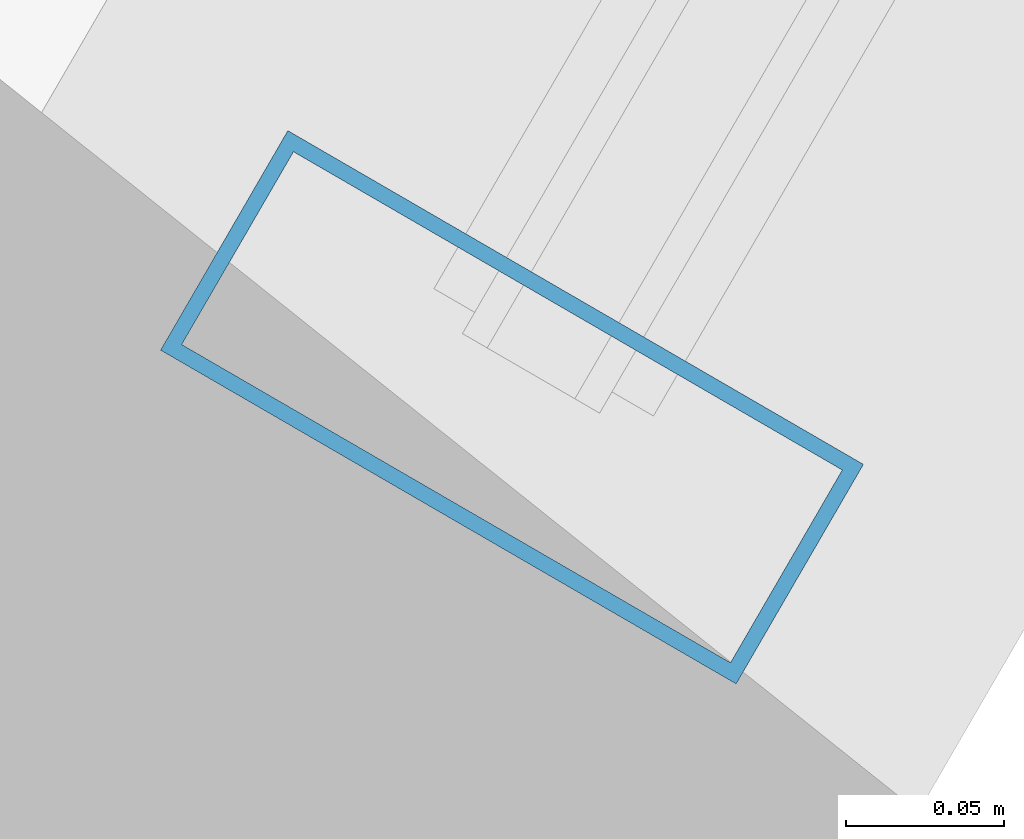
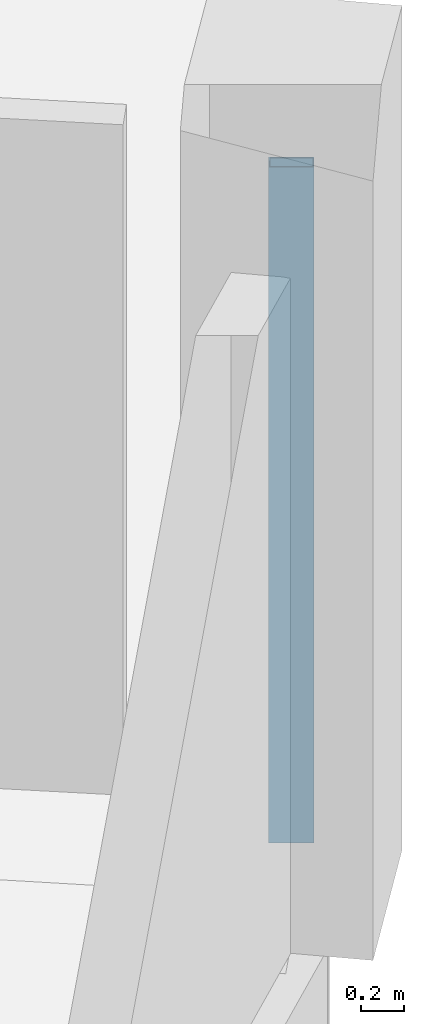
# One storey, part 59 of 171: 1 member, 1 element without a shape of its own.
"""IFC4 building model written with IfcOpenShell, lengths in metres."""

from ifc_helpers import new_model, si_unit, direction, frame, origin, origin_2d, place, context, subcontext, project, spatial, hollow_rectangle, extrude, material, layer, layer_set, material_profile, profile_set, type_object, element, aggregate, save


model = new_model("IFC4")

# Units and contexts
model_context = context("Model", 3, precision=1e-05, world=origin(), true_north=direction((0.0, 1.0)))
body_context = subcontext(model_context, "Body", "Model", "MODEL_VIEW")
ifc_project = project(units=[si_unit("LENGTHUNIT", "METRE"), si_unit("AREAUNIT", "SQUARE_METRE"), si_unit("VOLUMEUNIT", "CUBIC_METRE"), si_unit("PLANEANGLEUNIT", "RADIAN"), si_unit("MASSUNIT", "GRAM", prefix="KILO")], contexts=[model_context])

# Site, building, storey
site_placement = place(None, origin())
site = spatial("IfcSite", under=ifc_project, at=site_placement, CompositionType="ELEMENT")
building_placement = place(site_placement, origin())
building = spatial("IfcBuilding", under=site, at=building_placement, Name="Kazemori Nagisa Stadium", CompositionType="ELEMENT")
storey_placement = place(building_placement, frame((0.0, 0.0, 15.639892578125)))
storey = spatial("IfcBuildingStorey", under=building, at=storey_placement, Name="L03", CompositionType="ELEMENT", Elevation=15.639892578125)

# Curtain wall, member
ifc_material_1 = material(Name="Anodised aluminium 6063-T5", Category="aluminium")
ifc_layer = layer(ifc_material_1, 0.2099609375, Name="Anodised aluminium 6063-T5", Category="aluminium")
ifc_layer_set = layer_set([ifc_layer], Name="Anodised aluminium 6063-T5")
curtain_wall_type = type_object("IfcCurtainWallType", Name="CW_L03R3_99", PredefinedType="USERDEFINED", material=ifc_layer_set)
curtain_wall_placement = place(storey_placement, origin())
curtain_wall = element("IfcCurtainWall", 1, at=curtain_wall_placement, inside=storey, type_object=curtain_wall_type, Name="Unitised curtain wall CW-L03R3-99 L03", ObjectType="UNITISED CURTAIN WALL", PredefinedType="USERDEFINED")
ifc_material_2 = material(Name="Aluminium 6063-T5 anodised", Category="aluminium")
ifc_material_profile = material_profile(ifc_material_2, hollow_rectangle(XDim=0.080078125, YDim=0.2099609375, WallThickness=0.0048828125, at=origin_2d()), Name="ALU-MULL-80x210x5")
ifc_profile_set = profile_set([ifc_material_profile], Name="Aluminium 6063-T5 anodised")
member_type = type_object("IfcMemberType", Name="Mullion_M02", PredefinedType="MULLION", material=ifc_profile_set)
member_placement = place(storey_placement, frame((201.733642578125, 45.7431640625, 0.0), z_axis=(0.0, 0.0, 1.0), x_axis=(0.501611590054, 0.865092950337, 0.0)))
member = element("IfcMember", 2, at=member_placement, type_object=member_type, Name="Curtain wall mullion CW-L03R3-99-M1", PredefinedType="MULLION", context=body_context, shape_type="SweptSolid", body=[
    extrude(hollow_rectangle(XDim=0.080078125, YDim=0.2099609375, WallThickness=0.0048828125, at=origin_2d()), origin(), (0.0, 0.0, 1.0), 3.81005859375),
])
aggregate(curtain_wall, [member])

save(model, "model.ifc")
